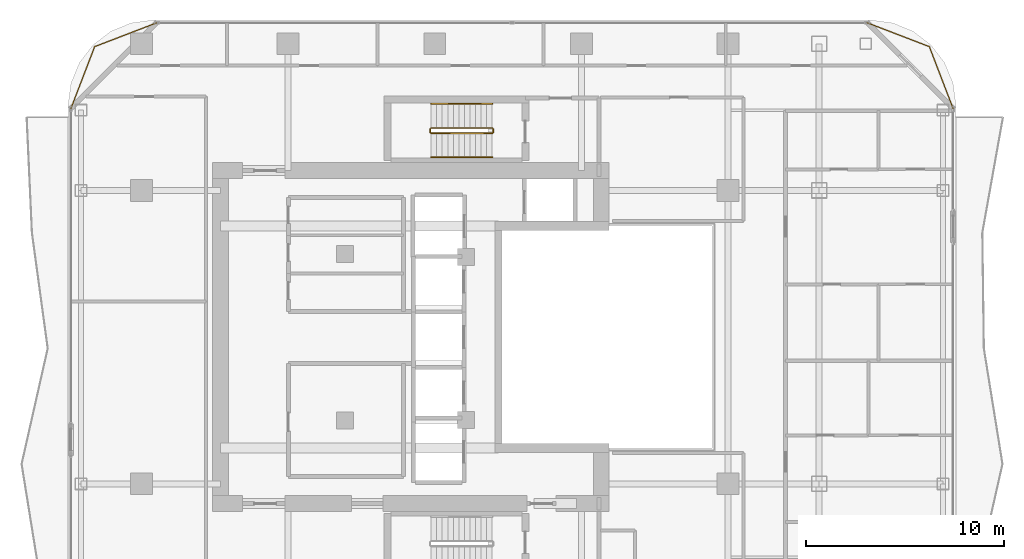
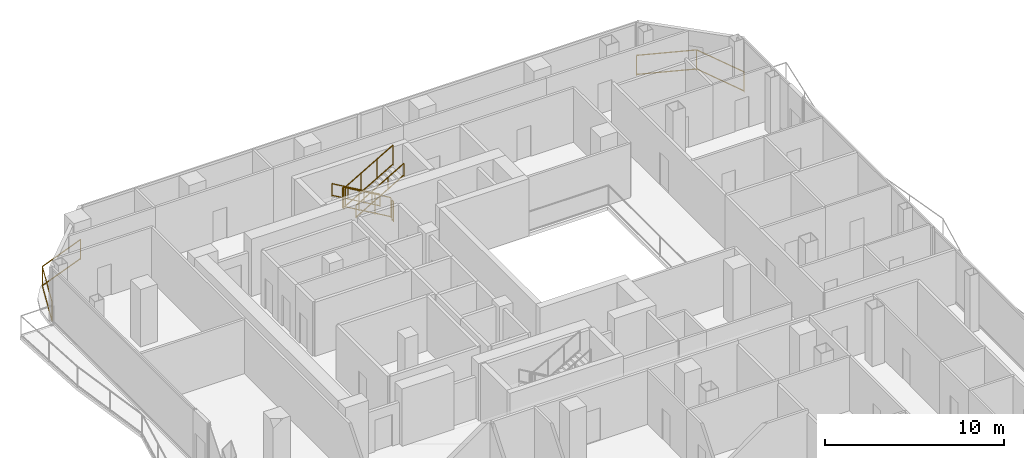
# One storey, part 27 of 27: 8 railings.
"""IFC4 building model written with IfcOpenShell, lengths in metres."""

from ifc_helpers import new_model, si_unit, direction, frame, origin, origin_2d, place, context, subcontext, project, spatial, rectangle, extrude, material, type_object, element, save


model = new_model("IFC4")

# Units and contexts
model_context = context("Model", 3, precision=1e-05, world=origin(), true_north=direction((0.0, 1.0)))
body_context = subcontext(model_context, "Body", "Model", "MODEL_VIEW")
ifc_project = project(units=[si_unit("LENGTHUNIT", "METRE"), si_unit("AREAUNIT", "SQUARE_METRE"), si_unit("VOLUMEUNIT", "CUBIC_METRE"), si_unit("PLANEANGLEUNIT", "RADIAN"), si_unit("MASSUNIT", "GRAM", prefix="KILO")], contexts=[model_context])

# Site, building, storey
site_placement = place(None, origin())
site = spatial("IfcSite", under=ifc_project, at=site_placement, CompositionType="ELEMENT")
building_placement = place(site_placement, origin())
building = spatial("IfcBuilding", under=site, at=building_placement, Name="Khorvyn Point Tower", CompositionType="ELEMENT")
storey_placement = place(building_placement, frame((0.0, 0.0, 227.39990234375)))
storey = spatial("IfcBuildingStorey", under=building, at=storey_placement, Name="L56", CompositionType="ELEMENT", Elevation=227.39990234375)

# Railings
ifc_material_1 = material(Name="Anodised aluminium 6063-T6 and laminated safety glass", Category="aluminium")
railing_type_1 = type_object("IfcRailingType", Name="Laminated Glass and Aluminium Balcony Guardrail 1400", PredefinedType="BALUSTRADE", material=ifc_material_1)
railing_1_placement = place(storey_placement, frame((-13.981201171875, 15.874267578125, 0.0)))
element("IfcRailing", 1, at=railing_1_placement, inside=storey, type_object=railing_type_1, Name="L56 Rounded Corner Edge Guardrail NW", PredefinedType="BALUSTRADE", context=body_context, shape_type="SweptSolid", body=[
    extrude(rectangle(XDim=0.048095703125, YDim=0.048095703125, at=origin_2d()), frame((0.0, 0.0, 1.3759765625), z_axis=(-0.933589651443, -0.358343916815, 0.0), x_axis=(0.358343916815, -0.933589651443, 0.0)), (0.0, 0.0, 1.0), 3.400390625),
    extrude(rectangle(XDim=0.048095703125, YDim=0.048095703125, at=origin_2d()), frame((0.0, 0.0, 0.080078125), z_axis=(-0.933589651443, -0.358343916815, 0.0), x_axis=(0.358343916815, -0.933589651443, 0.0)), (0.0, 0.0, 1.0), 3.400390625),
    extrude(rectangle(XDim=0.048095703125, YDim=0.048095703125, at=origin_2d()), frame((-3.174560546875, -1.218505859375, 1.3759765625), z_axis=(-0.358343916815, -0.933589651443, 0.0), x_axis=(0.933589651443, -0.358343916815, 0.0)), (0.0, 0.0, 1.0), 3.400390625),
    extrude(rectangle(XDim=0.048095703125, YDim=0.048095703125, at=origin_2d()), frame((-3.174560546875, -1.218505859375, 0.080078125), z_axis=(-0.358343916815, -0.933589651443, 0.0), x_axis=(0.933589651443, -0.358343916815, 0.0)), (0.0, 0.0, 1.0), 3.400390625),
    extrude(rectangle(XDim=0.0419921875, YDim=0.0419921875, at=origin_2d()), origin(), (0.0, 0.0, 1.0), 1.351806640625),
    extrude(rectangle(XDim=0.0419921875, YDim=0.0419921875, at=origin_2d()), frame((-3.174560546875, -1.218505859375, 0.0)), (0.0, 0.0, 1.0), 1.351806640625),
    extrude(rectangle(XDim=0.0419921875, YDim=0.0419921875, at=origin_2d()), frame((-4.39306640625, -4.39306640625, 0.0)), (0.0, 0.0, 1.0), 1.351806640625),
])
railing_2_placement = place(storey_placement, frame((26.17431640625, 11.481201171875, 0.0)))
element("IfcRailing", 2, at=railing_2_placement, inside=storey, type_object=railing_type_1, Name="L56 Rounded Corner Edge Guardrail NE", PredefinedType="BALUSTRADE", context=body_context, shape_type="SweptSolid", body=[
    extrude(rectangle(XDim=0.048095703125, YDim=0.048095703125, at=origin_2d()), frame((0.0, 0.0, 1.3759765625), z_axis=(-0.358343916815, 0.933589651443, 0.0), x_axis=(-0.933589651443, -0.358343916815, 0.0)), (0.0, 0.0, 1.0), 3.400390625),
    extrude(rectangle(XDim=0.048095703125, YDim=0.048095703125, at=origin_2d()), frame((0.0, 0.0, 0.080078125), z_axis=(-0.358343916815, 0.933589651443, 0.0), x_axis=(-0.933589651443, -0.358343916815, 0.0)), (0.0, 0.0, 1.0), 3.400390625),
    extrude(rectangle(XDim=0.048095703125, YDim=0.048095703125, at=origin_2d()), frame((-1.218505859375, 3.174560546875, 1.3759765625), z_axis=(-0.933589651443, 0.358343916815, 0.0), x_axis=(-0.358343916815, -0.933589651443, 0.0)), (0.0, 0.0, 1.0), 3.400390625),
    extrude(rectangle(XDim=0.048095703125, YDim=0.048095703125, at=origin_2d()), frame((-1.218505859375, 3.174560546875, 0.080078125), z_axis=(-0.933589651443, 0.358343916815, 0.0), x_axis=(-0.358343916815, -0.933589651443, 0.0)), (0.0, 0.0, 1.0), 3.400390625),
    extrude(rectangle(XDim=0.0419921875, YDim=0.0419921875, at=origin_2d()), origin(), (0.0, 0.0, 1.0), 1.351806640625),
    extrude(rectangle(XDim=0.0419921875, YDim=0.0419921875, at=origin_2d()), frame((-1.218505859375, 3.174560546875, 0.0)), (0.0, 0.0, 1.0), 1.351806640625),
    extrude(rectangle(XDim=0.0419921875, YDim=0.0419921875, at=origin_2d()), frame((-4.39306640625, 4.39306640625, 0.0)), (0.0, 0.0, 1.0), 1.351806640625),
])
ifc_material_2 = material(Name="Stainless steel 1.4301", Category="steel")
railing_type_2 = type_object("IfcRailingType", Name="Stainless Steel 304 Stair Pitch Handrail 900", PredefinedType="HANDRAIL", material=ifc_material_2)
railing_3_placement = place(storey_placement, frame((2.89990234375, 11.77001953125, 0.16259765625)))
element("IfcRailing", 3, at=railing_3_placement, inside=storey, type_object=railing_type_2, Name="L56 ST-02 stair handrail 1", PredefinedType="HANDRAIL", context=body_context, shape_type="SweptSolid", body=[
    extrude(rectangle(XDim=0.048095703125, YDim=0.048095703125, at=origin_2d()), frame((0.0, 0.0, 0.8759765625), z_axis=(-0.864873446163, 0.0, 0.501989962173), x_axis=(0.0, -1.0, 0.0)), (0.0, 0.0, 1.0), 3.56103515625),
    extrude(rectangle(XDim=0.048095703125, YDim=0.048095703125, at=origin_2d()), frame((0.0, 0.0, 0.080078125), z_axis=(-0.864873446163, 0.0, 0.501989962173), x_axis=(0.0, -1.0, 0.0)), (0.0, 0.0, 1.0), 3.56103515625),
    extrude(rectangle(XDim=0.0419921875, YDim=0.0419921875, at=origin_2d()), origin(), (0.0, 0.0, 1.0), 0.851806640625),
    extrude(rectangle(XDim=0.0419921875, YDim=0.0419921875, at=origin_2d()), frame((-1.026611328125, 0.0, 0.595947265625)), (0.0, 0.0, 1.0), 0.851806640625),
    extrude(rectangle(XDim=0.0419921875, YDim=0.0419921875, at=origin_2d()), frame((-2.05322265625, 0.0, 1.191650390625)), (0.0, 0.0, 1.0), 0.851806640625),
    extrude(rectangle(XDim=0.0419921875, YDim=0.0419921875, at=origin_2d()), frame((-3.079833984375, 0.0, 1.78759765625)), (0.0, 0.0, 1.0), 0.851806640625),
])
railing_4_placement = place(storey_placement, frame((-0.179931640625, 9.070068359375, 2.112548828125)))
element("IfcRailing", 4, at=railing_4_placement, inside=storey, type_object=railing_type_2, Name="L56 ST-02 stair handrail 2", PredefinedType="HANDRAIL", context=body_context, shape_type="SweptSolid", body=[
    extrude(rectangle(XDim=0.048095703125, YDim=0.048095703125, at=origin_2d()), frame((0.0, 0.0, 0.8759765625), z_axis=(0.864873446163, 0.0, 0.501989962173), x_axis=(0.0, 1.0, 0.0)), (0.0, 0.0, 1.0), 3.56103515625),
    extrude(rectangle(XDim=0.048095703125, YDim=0.048095703125, at=origin_2d()), frame((0.0, 0.0, 0.080078125), z_axis=(0.864873446163, 0.0, 0.501989962173), x_axis=(0.0, 1.0, 0.0)), (0.0, 0.0, 1.0), 3.56103515625),
    extrude(rectangle(XDim=0.0419921875, YDim=0.0419921875, at=origin_2d()), origin(), (0.0, 0.0, 1.0), 0.851806640625),
    extrude(rectangle(XDim=0.0419921875, YDim=0.0419921875, at=origin_2d()), frame((1.026611328125, 0.0, 0.595947265625)), (0.0, 0.0, 1.0), 0.851806640625),
    extrude(rectangle(XDim=0.0419921875, YDim=0.0419921875, at=origin_2d()), frame((2.05322265625, 0.0, 1.191650390625)), (0.0, 0.0, 1.0), 0.851806640625),
    extrude(rectangle(XDim=0.0419921875, YDim=0.0419921875, at=origin_2d()), frame((3.079833984375, 0.0, 1.78759765625)), (0.0, 0.0, 1.0), 0.851806640625),
])
railing_type_3 = type_object("IfcRailingType", Name="Stainless Steel 304 Stair Well Guardrail 1400", PredefinedType="GUARDRAIL", material=ifc_material_2)
railing_5_placement = place(storey_placement, frame((2.89990234375, 10.550048828125, 0.16259765625)))
element("IfcRailing", 5, at=railing_5_placement, inside=storey, type_object=railing_type_3, Name="L56 ST-02 stair guard 1", PredefinedType="GUARDRAIL", context=body_context, shape_type="SweptSolid", body=[
    extrude(rectangle(XDim=0.048095703125, YDim=0.048095703125, at=origin_2d()), frame((0.0, 0.0, 1.3759765625), z_axis=(-0.864873446163, 0.0, 0.501989962173), x_axis=(0.0, -1.0, 0.0)), (0.0, 0.0, 1.0), 3.56103515625),
    extrude(rectangle(XDim=0.048095703125, YDim=0.048095703125, at=origin_2d()), frame((0.0, 0.0, 0.080078125), z_axis=(-0.864873446163, 0.0, 0.501989962173), x_axis=(0.0, -1.0, 0.0)), (0.0, 0.0, 1.0), 3.56103515625),
    extrude(rectangle(XDim=0.0419921875, YDim=0.0419921875, at=origin_2d()), origin(), (0.0, 0.0, 1.0), 1.351806640625),
    extrude(rectangle(XDim=0.0419921875, YDim=0.0419921875, at=origin_2d()), frame((-1.026611328125, 0.0, 0.595947265625)), (0.0, 0.0, 1.0), 1.351806640625),
    extrude(rectangle(XDim=0.0419921875, YDim=0.0419921875, at=origin_2d()), frame((-2.05322265625, 0.0, 1.191650390625)), (0.0, 0.0, 1.0), 1.351806640625),
    extrude(rectangle(XDim=0.0419921875, YDim=0.0419921875, at=origin_2d()), frame((-3.079833984375, 0.0, 1.78759765625)), (0.0, 0.0, 1.0), 1.351806640625),
])
railing_6_placement = place(storey_placement, frame((-0.22998046875, 10.5, 1.9501953125)))
element("IfcRailing", 6, at=railing_6_placement, inside=storey, type_object=railing_type_3, Name="L56 ST-02 stair guard 2", PredefinedType="GUARDRAIL", context=body_context, shape_type="SweptSolid", body=[
    extrude(rectangle(XDim=0.048095703125, YDim=0.048095703125, at=origin_2d()), frame((0.0, 0.0, 1.3759765625), z_axis=(0.0, -1.0, 0.0), x_axis=(1.0, 0.0, 0.0)), (0.0, 0.0, 1.0), 0.159912109375),
    extrude(rectangle(XDim=0.048095703125, YDim=0.048095703125, at=origin_2d()), frame((0.0, 0.0, 0.080078125), z_axis=(0.0, -1.0, 0.0), x_axis=(1.0, 0.0, 0.0)), (0.0, 0.0, 1.0), 0.159912109375),
    extrude(rectangle(XDim=0.0419921875, YDim=0.0419921875, at=origin_2d()), origin(), (0.0, 0.0, 1.0), 1.351806640625),
    extrude(rectangle(XDim=0.0419921875, YDim=0.0419921875, at=origin_2d()), frame((0.0, -0.159912109375, 0.0)), (0.0, 0.0, 1.0), 1.351806640625),
])
railing_7_placement = place(storey_placement, frame((-0.179931640625, 10.2900390625, 2.112548828125)))
element("IfcRailing", 7, at=railing_7_placement, inside=storey, type_object=railing_type_3, Name="L56 ST-02 stair guard 3", PredefinedType="GUARDRAIL", context=body_context, shape_type="SweptSolid", body=[
    extrude(rectangle(XDim=0.048095703125, YDim=0.048095703125, at=origin_2d()), frame((0.0, 0.0, 1.3759765625), z_axis=(0.864873446163, 0.0, 0.501989962173), x_axis=(0.0, 1.0, 0.0)), (0.0, 0.0, 1.0), 3.56103515625),
    extrude(rectangle(XDim=0.048095703125, YDim=0.048095703125, at=origin_2d()), frame((0.0, 0.0, 0.080078125), z_axis=(0.864873446163, 0.0, 0.501989962173), x_axis=(0.0, 1.0, 0.0)), (0.0, 0.0, 1.0), 3.56103515625),
    extrude(rectangle(XDim=0.0419921875, YDim=0.0419921875, at=origin_2d()), origin(), (0.0, 0.0, 1.0), 1.351806640625),
    extrude(rectangle(XDim=0.0419921875, YDim=0.0419921875, at=origin_2d()), frame((1.026611328125, 0.0, 0.595947265625)), (0.0, 0.0, 1.0), 1.351806640625),
    extrude(rectangle(XDim=0.0419921875, YDim=0.0419921875, at=origin_2d()), frame((2.05322265625, 0.0, 1.191650390625)), (0.0, 0.0, 1.0), 1.351806640625),
    extrude(rectangle(XDim=0.0419921875, YDim=0.0419921875, at=origin_2d()), frame((3.079833984375, 0.0, 1.78759765625)), (0.0, 0.0, 1.0), 1.351806640625),
])
railing_8_placement = place(storey_placement, frame((2.949951171875, 10.5, 0.0)))
element("IfcRailing", 8, at=railing_8_placement, inside=storey, type_object=railing_type_3, Name="L56 ST-02 stair guard 4", PredefinedType="GUARDRAIL", context=body_context, shape_type="SweptSolid", body=[
    extrude(rectangle(XDim=0.048095703125, YDim=0.048095703125, at=origin_2d()), frame((0.0, 0.0, 1.3759765625), z_axis=(0.0, -1.0, 0.0), x_axis=(1.0, 0.0, 0.0)), (0.0, 0.0, 1.0), 0.159912109375),
    extrude(rectangle(XDim=0.048095703125, YDim=0.048095703125, at=origin_2d()), frame((0.0, 0.0, 0.080078125), z_axis=(0.0, -1.0, 0.0), x_axis=(1.0, 0.0, 0.0)), (0.0, 0.0, 1.0), 0.159912109375),
    extrude(rectangle(XDim=0.0419921875, YDim=0.0419921875, at=origin_2d()), origin(), (0.0, 0.0, 1.0), 1.351806640625),
    extrude(rectangle(XDim=0.0419921875, YDim=0.0419921875, at=origin_2d()), frame((0.0, -0.159912109375, 0.0)), (0.0, 0.0, 1.0), 1.351806640625),
])

save(model, "model.ifc")
